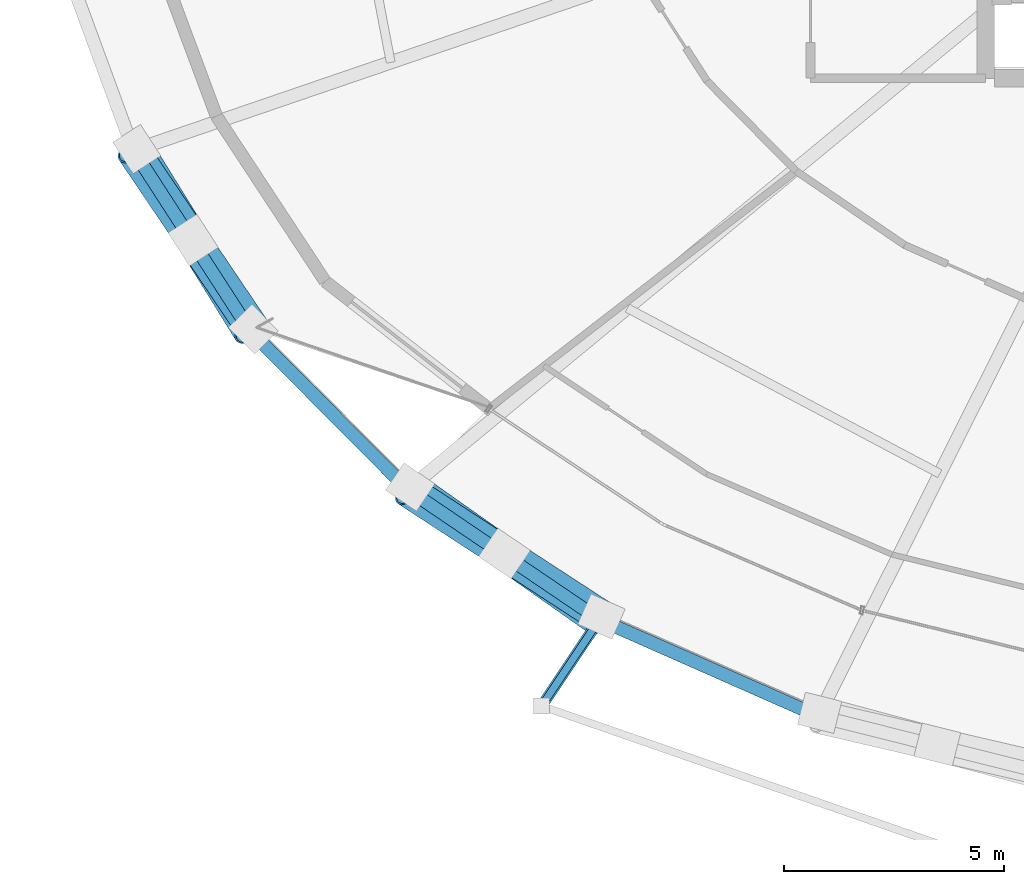
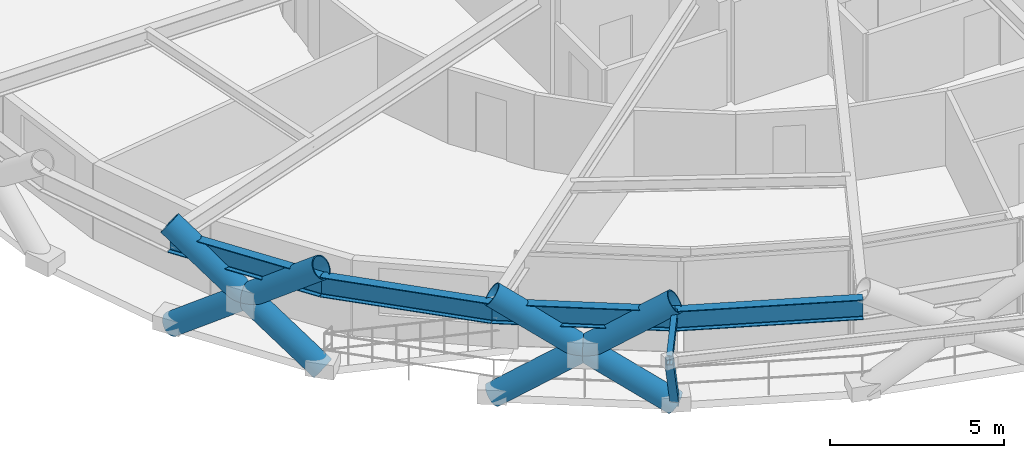
# One storey, part 1 of 21: 7 members, 5 beams.
"""IFC4 building model written with IfcOpenShell, lengths in metres."""

from ifc_helpers import new_model, si_unit, direction, frame, origin, origin_2d, place, context, subcontext, project, spatial, hollow_rectangle, hollow_circle, i_section, extrude, material, material_profile, profile_set, type_object, element, save


model = new_model("IFC4")

# Units and contexts
model_context = context("Model", 3, precision=1e-05, world=origin(), true_north=direction((0.0, 1.0)))
body_context = subcontext(model_context, "Body", "Model", "MODEL_VIEW")
ifc_project = project(units=[si_unit("LENGTHUNIT", "METRE"), si_unit("AREAUNIT", "SQUARE_METRE"), si_unit("VOLUMEUNIT", "CUBIC_METRE"), si_unit("PLANEANGLEUNIT", "RADIAN"), si_unit("MASSUNIT", "GRAM", prefix="KILO")], contexts=[model_context])

# Site, building, storey
site_placement = place(None, origin())
site = spatial("IfcSite", under=ifc_project, at=site_placement, CompositionType="ELEMENT")
building_placement = place(site_placement, origin())
building = spatial("IfcBuilding", under=site, at=building_placement, Name="Veldorina Hangang Commons", CompositionType="ELEMENT")
storey_placement = place(building_placement, frame((0.0, 0.0, 59.199951171875)))
storey = spatial("IfcBuildingStorey", under=building, at=storey_placement, Name="L14", CompositionType="ELEMENT", Elevation=59.199951171875)

# Beams
ifc_material_1 = material(Name="Steel SM355-TMC", Category="steel")
ifc_material_profile_1 = material_profile(ifc_material_1, i_section(OverallWidth=0.175048828125, OverallDepth=0.35009765625, WebThickness=0.007080078125, FlangeThickness=0.010986328125, FilletRadius=0.012939453125, at=origin_2d()), Name="H-350x175x7x11")
ifc_profile_set_1 = profile_set([ifc_material_profile_1], Name="Steel SM355-TMC")
beam_type_1 = type_object("IfcBeamType", Name="BM-FG350", PredefinedType="BEAM", material=ifc_profile_set_1)
beam_1_placement = place(storey_placement, frame((16.01611328125, 4.23583984375, 3.1650390625), z_axis=(-0.555539084943, -0.831490423938, 0.0), x_axis=(0.831490423938, -0.555539084943, 0.0)))
element("IfcBeam", 1, at=beam_1_placement, inside=storey, type_object=beam_type_1, Name="L15 tree balcony 1 bracket beam A", PredefinedType="BEAM", context=body_context, shape_type="SweptSolid", body=[
    extrude(i_section(OverallWidth=0.175048828125, OverallDepth=0.35009765625, WebThickness=0.007080078125, FlangeThickness=0.010986328125, FilletRadius=0.012939453125, at=origin_2d()), origin(), (0.0, 0.0, 1.0), 2.349853515625),
])
ifc_material_2 = material(Name="Steel SM460-TMC", Category="steel")
ifc_material_profile_2 = material_profile(ifc_material_2, i_section(OverallWidth=0.300048828125, OverallDepth=0.699951171875, WebThickness=0.012939453125, FlangeThickness=0.02392578125, FilletRadius=0.02197265625, at=origin_2d()), Name="H-700x300x13x24")
ifc_profile_set_2 = profile_set([ifc_material_profile_2], Name="Steel SM460-TMC")
beam_type_2 = type_object("IfcBeamType", Name="BM-RB700", PredefinedType="BEAM", material=ifc_profile_set_2)
beam_2_placement = place(storey_placement, frame((5.435302734375, 14.909912109375, 2.989990234375), z_axis=(0.543209885718, -0.839596939048, 0.0), x_axis=(0.839596939048, 0.543209885718, 0.0)))
element("IfcBeam", 2, at=beam_2_placement, inside=storey, type_object=beam_type_2, Name="L14 perimeter hoop ring beam 18", PredefinedType="BEAM", context=body_context, shape_type="SweptSolid", body=[
    extrude(i_section(OverallWidth=0.300048828125, OverallDepth=0.699951171875, WebThickness=0.012939453125, FlangeThickness=0.02392578125, FilletRadius=0.02197265625, at=origin_2d()), origin(), (0.0, 0.0, 1.0), 4.891357421875),
])
beam_3_placement = place(storey_placement, frame((8.09228515625, 10.80322265625, 2.989990234375), z_axis=(0.704769257214, -0.709436603289, 0.0), x_axis=(0.709436603289, 0.704769257214, 0.0)))
element("IfcBeam", 3, at=beam_3_placement, inside=storey, type_object=beam_type_2, Name="L14 perimeter hoop ring beam 19", PredefinedType="BEAM", context=body_context, shape_type="SweptSolid", body=[
    extrude(i_section(OverallWidth=0.300048828125, OverallDepth=0.699951171875, WebThickness=0.012939453125, FlangeThickness=0.02392578125, FilletRadius=0.02197265625, at=origin_2d()), origin(), (0.0, 0.0, 1.0), 5.073974609375),
])
beam_4_placement = place(storey_placement, frame((11.668212890625, 7.20361328125, 2.989990234375), z_axis=(0.827701196012, -0.561169074452, 0.0), x_axis=(0.561169074452, 0.827701196012, 0.0)))
element("IfcBeam", 4, at=beam_4_placement, inside=storey, type_object=beam_type_2, Name="L14 perimeter hoop ring beam 20", PredefinedType="BEAM", context=body_context, shape_type="SweptSolid", body=[
    extrude(i_section(OverallWidth=0.300048828125, OverallDepth=0.699951171875, WebThickness=0.012939453125, FlangeThickness=0.02392578125, FilletRadius=0.02197265625, at=origin_2d()), origin(), (0.0, 0.0, 1.0), 5.26416015625),
])
beam_5_placement = place(storey_placement, frame((16.025390625, 4.24951171875, 2.989990234375), z_axis=(0.914788929434, -0.403932190578, 0.0), x_axis=(0.403932190578, 0.914788929434, 0.0)))
element("IfcBeam", 5, at=beam_5_placement, inside=storey, type_object=beam_type_2, Name="L14 perimeter hoop ring beam 21", PredefinedType="BEAM", context=body_context, shape_type="SweptSolid", body=[
    extrude(i_section(OverallWidth=0.300048828125, OverallDepth=0.699951171875, WebThickness=0.012939453125, FlangeThickness=0.02392578125, FilletRadius=0.02197265625, at=origin_2d()), origin(), (0.0, 0.0, 1.0), 5.434326171875),
])

# Members
ifc_material_profile_3 = material_profile(ifc_material_2, hollow_circle(Radius=0.375, WallThickness=0.035888671875, at=origin_2d()), Name="CHS-750x36")
ifc_profile_set_3 = profile_set([ifc_material_profile_3], Name="Steel SM460-TMC")
member_type_1 = type_object("IfcMemberType", Name="DG-CHS750", PredefinedType="BRACE", material=ifc_profile_set_3)
member_1_placement = place(storey_placement, frame((5.510009765625, 14.94091796875, 0.0), z_axis=(0.423676209003, -0.684019017786, 0.593815167566), x_axis=(0.850133926009, 0.526566527466, 0.0)))
element("IfcMember", 6, at=member_1_placement, inside=storey, type_object=member_type_1, Name="L14 continuous perimeter diagrid brace 18", PredefinedType="BRACE", context=body_context, shape_type="SweptSolid", body=[
    extrude(hollow_circle(Radius=0.375, WallThickness=0.035888671875, at=origin_2d()), origin(), (0.0, 0.0, 1.0), 6.062744140625),
])
member_2_placement = place(storey_placement, frame((8.159423828125, 10.84814453125, 0.0), z_axis=(-0.451087890607, 0.667371731051, 0.592566188321), x_axis=(-0.828496212994, -0.559994665202, 0.0)))
element("IfcMember", 7, at=member_2_placement, inside=storey, type_object=member_type_1, Name="L14 split perimeter diagrid lower brace 19", PredefinedType="BRACE", context=body_context, shape_type="SweptSolid", body=[
    extrude(hollow_circle(Radius=0.375, WallThickness=0.035888671875, at=origin_2d()), origin(), (0.0, 0.0, 1.0), 3.031982421875),
])
member_3_placement = place(storey_placement, frame((6.791748046875, 12.87158203125, 1.796630859375), z_axis=(-0.450728477655, 0.66763002661, 0.592548721203), x_axis=(-0.828803648784, -0.559539553349, 0.0)))
element("IfcMember", 8, at=member_3_placement, inside=storey, type_object=member_type_1, Name="L14 split perimeter diagrid upper brace 19", PredefinedType="BRACE", context=body_context, shape_type="SweptSolid", body=[
    extrude(hollow_circle(Radius=0.375, WallThickness=0.035888671875, at=origin_2d()), origin(), (0.0, 0.0, 1.0), 3.04345703125),
])
member_4_placement = place(storey_placement, frame((11.725341796875, 7.260986328125, 0.0), z_axis=(0.674038871636, -0.475221374591, 0.565540665784), x_axis=(0.576221187924, 0.817293792089, 0.0)))
element("IfcMember", 9, at=member_4_placement, inside=storey, type_object=member_type_1, Name="L14 continuous perimeter diagrid brace 20", PredefinedType="BRACE", context=body_context, shape_type="SweptSolid", body=[
    extrude(hollow_circle(Radius=0.375, WallThickness=0.035888671875, at=origin_2d()), origin(), (0.0, 0.0, 1.0), 6.36572265625),
])
member_5_placement = place(storey_placement, frame((16.0703125, 4.31689453125, 0.0), z_axis=(-0.691909499098, 0.450412000798, 0.564260821425), x_axis=(-0.545559426456, -0.838072140215, 0.0)))
element("IfcMember", 10, at=member_5_placement, inside=storey, type_object=member_type_1, Name="L14 split perimeter diagrid lower brace 21", PredefinedType="BRACE", context=body_context, shape_type="SweptSolid", body=[
    extrude(hollow_circle(Radius=0.375, WallThickness=0.035888671875, at=origin_2d()), origin(), (0.0, 0.0, 1.0), 3.1845703125),
])
member_6_placement = place(storey_placement, frame((13.866943359375, 5.751220703125, 1.796875), z_axis=(-0.691669777311, 0.45080001722, 0.564244861411), x_axis=(-0.546022195488, -0.837770709702, 0.0)))
element("IfcMember", 11, at=member_6_placement, inside=storey, type_object=member_type_1, Name="L14 split perimeter diagrid upper brace 21", PredefinedType="BRACE", context=body_context, shape_type="SweptSolid", body=[
    extrude(hollow_circle(Radius=0.375, WallThickness=0.035888671875, at=origin_2d()), origin(), (0.0, 0.0, 1.0), 3.19580078125),
])
ifc_material_profile_4 = material_profile(ifc_material_1, hollow_rectangle(XDim=0.25, YDim=0.25, WallThickness=0.011962890625, at=origin_2d()), Name="SHS-250x250x12")
ifc_profile_set_4 = profile_set([ifc_material_profile_4], Name="Steel SM355-TMC")
member_type_2 = type_object("IfcMemberType", Name="STR-SHS250", PredefinedType="STRUT", material=ifc_profile_set_4)
member_7_placement = place(storey_placement, frame((16.0703125, 4.31689453125, 0.0), z_axis=(-0.33983147689, -0.508618308472, 0.791089112301), x_axis=(0.831482005751, -0.555551684466, 0.0)))
element("IfcMember", 12, at=member_7_placement, inside=storey, type_object=member_type_2, Name="L15 tree balcony 1 raking knee strut A", PredefinedType="STRUT", context=body_context, shape_type="SweptSolid", body=[
    extrude(hollow_rectangle(XDim=0.25, YDim=0.25, WallThickness=0.011962890625, at=origin_2d()), origin(), (0.0, 0.0, 1.0), 4.0009765625),
])

save(model, "model.ifc")
